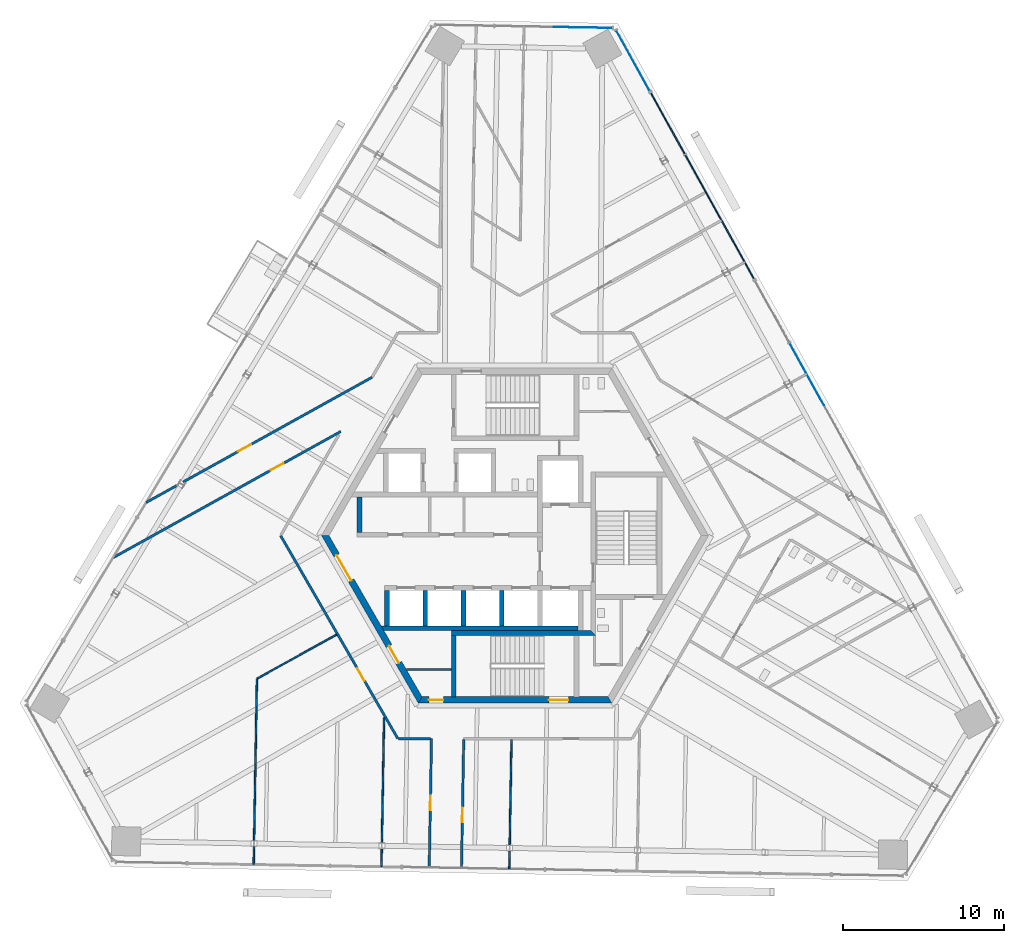
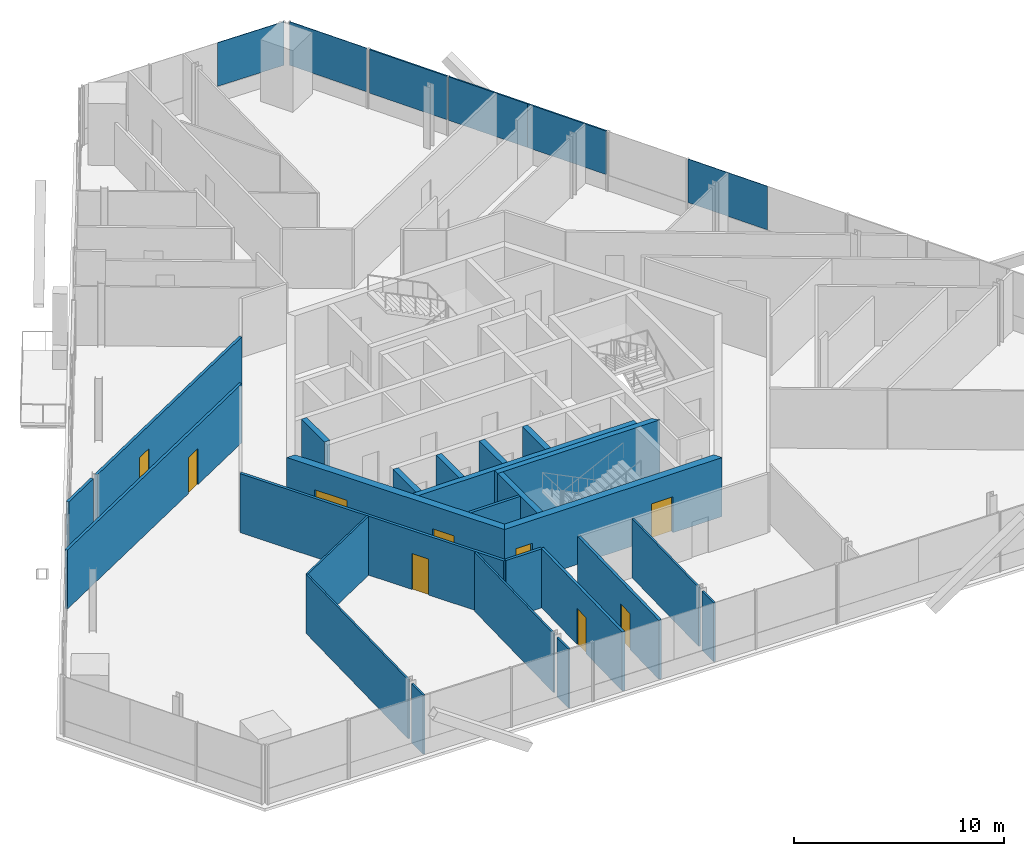
# One storey, part 11 of 19: 25 walls, 9 doors, 6 plates, 9 openings, 4 elements without a shape of their own.
"""IFC4 building model written with IfcOpenShell, lengths in metres."""

import ifcopenshell
import ifcopenshell.guid

model = None  # the IFC model being written
_history = None  # IfcOwnerHistory: only IFC2X3 demands one
_inside = {}  # id of a spatial element -> (the spatial element, [elements in it])
_under = {}  # id of a project, library or spatial element -> (it, [spatial elements below it])
_declared = {}  # id of a project -> (the project, [libraries it declares])
_typed = {}  # id of a type object -> (the type object, [elements of that type])
_made_of = {}  # id of a material, layer set ... -> (it, [elements and type objects made of it])


def new_model(schema):
    """Start an empty IFC model of exactly this schema.

    Asked for "IFC4X3", IfcOpenShell would pick the latest addendum, in which some entities
    have other attributes; the version numbers below select the first issue.
    IFC2X3 requires an IfcOwnerHistory on every rooted entity: one is made here for all.
    """
    global model, _history
    if schema == "IFC4X3":
        model = ifcopenshell.file(schema_version=(4, 3, 0, 0))
    else:
        model = ifcopenshell.file(schema=schema)
    _inside.clear()
    _under.clear()
    _declared.clear()
    _typed.clear()
    _made_of.clear()
    _history = None
    if model.schema == "IFC2X3":
        org = make("IfcOrganization", Name="unknown")
        user = make(
            "IfcPersonAndOrganization",
            ThePerson=make("IfcPerson", FamilyName="unknown"),
            TheOrganization=org,
        )
        app = make(
            "IfcApplication",
            ApplicationDeveloper=org,
            Version="unknown",
            ApplicationFullName="unknown",
            ApplicationIdentifier="unknown",
        )
        _history = make(
            "IfcOwnerHistory",
            OwningUser=user,
            OwningApplication=app,
            ChangeAction="ADDED",
            CreationDate=0,
        )
    return model


def make(cls, **values):
    """One entity of the class cls with the attributes given. An attribute that is None is left unset."""
    return model.create_entity(
        cls, **{name: value for name, value in values.items() if value is not None}
    )


def rooted(cls, **values):
    """An entity with a GlobalId (a new one), such as an element, a storey or a relation."""
    return make(cls, GlobalId=ifcopenshell.guid.new(), OwnerHistory=_history, **values)


def si_unit(unit_type, name, prefix=None):
    """IfcSIUnit, for example si_unit("LENGTHUNIT", "METRE", prefix="MILLI")."""
    return make("IfcSIUnit", UnitType=unit_type, Prefix=prefix, Name=name)


def assignment(units):
    """IfcUnitAssignment: the units of a project."""
    return None if units is None else make("IfcUnitAssignment", Units=units)


def point(xyz):
    """IfcCartesianPoint."""
    return None if xyz is None else make("IfcCartesianPoint", Coordinates=xyz)


def direction(xyz):
    """IfcDirection."""
    return None if xyz is None else make("IfcDirection", DirectionRatios=xyz)


def frame(location, z_axis=None, x_axis=None):
    """IfcAxis2Placement3D, a coordinate frame: its origin and axes. An axis left out is left unset."""
    return make(
        "IfcAxis2Placement3D",
        Location=point(location),
        Axis=direction(z_axis),
        RefDirection=direction(x_axis),
    )


def frame_2d(location, x_axis=None):
    """IfcAxis2Placement2D, a coordinate frame in the plane: its origin and x axis."""
    return make(
        "IfcAxis2Placement2D", Location=point(location), RefDirection=direction(x_axis)
    )


def origin():
    """The frame at (0, 0, 0) with its axes left unset."""
    return frame((0.0, 0.0, 0.0))


def origin_2d():
    """The frame at (0, 0) in the plane with its x axis left unset."""
    return frame_2d((0.0, 0.0))


def place(relative_to, where):
    """IfcLocalPlacement: puts the frame where relative to a parent placement (None: the world)."""
    return make(
        "IfcLocalPlacement", PlacementRelTo=relative_to, RelativePlacement=where
    )


def context(
    kind, dimensions, precision=None, world=None, true_north=None, identifier=None
):
    """IfcGeometricRepresentationContext, for example the 3D "Model" context."""
    return make(
        "IfcGeometricRepresentationContext",
        ContextIdentifier=identifier,
        ContextType=kind,
        CoordinateSpaceDimension=dimensions,
        Precision=precision,
        WorldCoordinateSystem=world,
        TrueNorth=true_north,
    )


def subcontext(parent, identifier, kind, view, scale=None):
    """IfcGeometricRepresentationSubContext, for example "Body" below "Model"."""
    return make(
        "IfcGeometricRepresentationSubContext",
        ContextIdentifier=identifier,
        ContextType=kind,
        ParentContext=parent,
        TargetScale=scale,
        TargetView=view,
    )


def project(units=None, contexts=None):
    """IfcProject with its units and contexts."""
    return rooted(
        "IfcProject",
        Name="project",
        RepresentationContexts=contexts,
        UnitsInContext=assignment(units),
    )


def spatial(cls, under=None, at=None, **own):
    """A site, building, storey or space (cls), placed at a placement, below another one or the project."""
    s = rooted(cls, ObjectPlacement=at, **own)
    if under is not None:
        _under.setdefault(under.id(), (under, []))[1].append(s)
    return s


def polyline(points):
    """IfcPolyline through the points."""
    return make("IfcPolyline", Points=[point(p) for p in points])


def profile(cls, at=None, kind="AREA", **sizes):
    """A parametric profile (cls). Its sizes go by their IFC names, for example OverallWidth=200.0."""
    return make(cls, ProfileType=kind, Position=at, **sizes)


def rectangle(**sizes):
    """IfcRectangleProfileDef."""
    return profile("IfcRectangleProfileDef", **sizes)


def outline(outer, holes=None, kind="AREA"):
    """IfcArbitraryClosedProfileDef: a profile drawn as a closed curve; with holes, ...WithVoids."""
    if holes is None:
        return make("IfcArbitraryClosedProfileDef", ProfileType=kind, OuterCurve=outer)
    return make(
        "IfcArbitraryProfileDefWithVoids",
        ProfileType=kind,
        OuterCurve=outer,
        InnerCurves=holes,
    )


def extrude(swept, where, along, depth):
    """IfcExtrudedAreaSolid: the profile swept, set in the frame where, extruded along a direction by depth."""
    return make(
        "IfcExtrudedAreaSolid",
        SweptArea=swept,
        Position=where,
        ExtrudedDirection=direction(along),
        Depth=depth,
    )


def shape(context_of_items, identifier, shape_type, items):
    """IfcShapeRepresentation: the items that make up one representation, for example the "Body"."""
    return make(
        "IfcShapeRepresentation",
        ContextOfItems=context_of_items,
        RepresentationIdentifier=identifier,
        RepresentationType=shape_type,
        Items=items,
    )


def source(mapping_origin, context_of_items, identifier, shape_type, items):
    """IfcRepresentationMap: a shape defined once, which mapped items show again and again."""
    return make(
        "IfcRepresentationMap",
        MappingOrigin=mapping_origin,
        MappedRepresentation=shape(context_of_items, identifier, shape_type, items),
    )


def transform(
    local_origin,
    x_axis=None,
    y_axis=None,
    z_axis=None,
    scale=None,
    scale2=None,
    scale3=None,
    uniform=True,
):
    """IfcCartesianTransformationOperator3D, or its non-uniform kind. x_axis, y_axis, z_axis: its Axis1, 2, 3."""
    if uniform:
        return make(
            "IfcCartesianTransformationOperator3D",
            Axis1=direction(x_axis),
            Axis2=direction(y_axis),
            LocalOrigin=point(local_origin),
            Scale=scale,
            Axis3=direction(z_axis),
        )
    return make(
        "IfcCartesianTransformationOperator3DnonUniform",
        Axis1=direction(x_axis),
        Axis2=direction(y_axis),
        LocalOrigin=point(local_origin),
        Scale=scale,
        Axis3=direction(z_axis),
        Scale2=scale2,
        Scale3=scale3,
    )


def mapped(mapping_source, mapping_target):
    """IfcMappedItem: shows the shape of a source again, moved by a transform."""
    return make(
        "IfcMappedItem", MappingSource=mapping_source, MappingTarget=mapping_target
    )


def material(Name=None, Category=None):
    """IfcMaterial."""
    return make("IfcMaterial", Name=Name, Category=Category)


def layer(
    of_material, thickness, ventilated=None, Name=None, Category=None, Priority=None
):
    """IfcMaterialLayer: one layer of a wall or slab, of a material (None: an air gap)."""
    return make(
        "IfcMaterialLayer",
        Material=of_material,
        LayerThickness=thickness,
        IsVentilated=ventilated,
        Name=Name,
        Category=Category,
        Priority=Priority,
    )


def layer_set(layers, Name=None):
    """IfcMaterialLayerSet."""
    return make("IfcMaterialLayerSet", MaterialLayers=layers, LayerSetName=Name)


def made_of(thing, what):
    """Note that an element or type object is made of a material, layer set ...; save() writes the relation."""
    if what is not None:
        _made_of.setdefault(what.id(), (what, []))[1].append(thing)
    return thing


def type_object(cls, material=None, **own):
    """A type object (cls), such as IfcWallType, which elements share."""
    return made_of(rooted(cls, **own), material)


def element(
    cls,
    number,
    at=None,
    inside=None,
    cuts=None,
    type_object=None,
    material=None,
    context=None,
    identifier="Body",
    shape_type=None,
    held_by="IfcProductDefinitionShape",
    body=None,
    shapes=None,
    **own,
):
    """One element of the class cls, such as IfcWall. Its Tag is "e" and its number.

    at: its placement. inside: the storey or other place that contains it. cuts: it is an
    opening in that element (IfcRelVoidsElement). A single representation is given by context,
    identifier, shape_type and body (its items); several are given by shapes. held_by: the class
    of the entity that holds the representations. save() writes the other relations.
    """
    e = rooted(cls, Tag="e%d" % number, ObjectPlacement=at, **own)
    if body is not None:
        shapes = [shape(context, identifier, shape_type, body)]
    if shapes is not None:
        e.Representation = make(held_by, Representations=shapes)
    if inside is not None:
        _inside.setdefault(inside.id(), (inside, []))[1].append(e)
    if cuts is not None:
        rooted(
            "IfcRelVoidsElement", RelatingBuildingElement=cuts, RelatedOpeningElement=e
        )
    if type_object is not None:
        _typed.setdefault(type_object.id(), (type_object, []))[1].append(e)
    return made_of(e, material)


def fill(opening, filler):
    """IfcRelFillsElement: the door or window that sits in an opening."""
    return rooted(
        "IfcRelFillsElement",
        RelatingOpeningElement=opening,
        RelatedBuildingElement=filler,
    )


def aggregate(whole, parts):
    """IfcRelAggregates: a whole, such as a stair, and the parts it consists of."""
    return rooted("IfcRelAggregates", RelatingObject=whole, RelatedObjects=parts)


def save(model, path):
    """Write the relations noted so far, then the file.

    IfcRelAggregates (storeys below a building ...), IfcRelContainedInSpatialStructure (elements
    in a storey), IfcRelDefinesByType, IfcRelAssociatesMaterial and IfcRelDeclares: one each for
    every whole, place, type object, material and project.
    """
    for whole, parts in _under.values():
        aggregate(whole, parts)
    for where, things in _inside.values():
        rooted(
            "IfcRelContainedInSpatialStructure",
            RelatedElements=things,
            RelatingStructure=where,
        )
    for kind, things in _typed.values():
        rooted("IfcRelDefinesByType", RelatedObjects=things, RelatingType=kind)
    for what, things in _made_of.values():
        rooted("IfcRelAssociatesMaterial", RelatedObjects=things, RelatingMaterial=what)
    for by, libraries in _declared.values():
        rooted("IfcRelDeclares", RelatingContext=by, RelatedDefinitions=libraries)
    model.write(path)


model = new_model("IFC4")

# Units and contexts
model_context = context("Model", 3, precision=1e-05, world=origin(), true_north=direction((0.0, 1.0)))
body_context = subcontext(model_context, "Body", "Model", "MODEL_VIEW")
ifc_project = project(units=[si_unit("LENGTHUNIT", "METRE"), si_unit("AREAUNIT", "SQUARE_METRE"), si_unit("VOLUMEUNIT", "CUBIC_METRE"), si_unit("PLANEANGLEUNIT", "RADIAN"), si_unit("MASSUNIT", "GRAM", prefix="KILO")], contexts=[model_context])

# Site, building, storey
site_placement = place(None, origin())
site = spatial("IfcSite", under=ifc_project, at=site_placement, CompositionType="ELEMENT")
building_placement = place(site_placement, origin())
building = spatial("IfcBuilding", under=site, at=building_placement, Name="Triune Harvest Tower", CompositionType="ELEMENT")
storey_placement = place(building_placement, frame((0.0, 0.0, 205.10009765625)))
storey = spatial("IfcBuildingStorey", under=building, at=storey_placement, Name="L53", CompositionType="ELEMENT", Elevation=205.10009765625)

# Curtain wall, plate
ifc_material_1 = material(Name="Aluminium bronze anodised", Category="aluminium")
curtain_wall_type_1 = type_object("IfcCurtainWallType", Name="CW-1 Tower stick curtain wall", PredefinedType="NOTDEFINED", material=ifc_material_1)
curtain_wall_1_placement = place(storey_placement, origin())
curtain_wall_1 = element("IfcCurtainWall", 1, at=curtain_wall_1_placement, inside=storey, type_object=curtain_wall_type_1, Name="CW-1 B5-F2 L53 run 1")
ifc_material_2 = material(Name="Glass", Category="glass")
ifc_layer_1 = layer(ifc_material_2, 0.031982421875)
ifc_layer_set_1 = layer_set([ifc_layer_1], Name="Glass")
plate_type_1 = type_object("IfcPlateType", Name="GL-1 panel 32", PredefinedType="CURTAIN_PANEL", material=ifc_layer_set_1)
shared_shape_1 = source(origin(), body_context, "Body", "SweptSolid", [
    extrude(rectangle(XDim=3.625, YDim=0.031982421875, at=origin_2d()), origin(), (0.0, 0.0, 1.0), 2.5400390625),
])
plate_1_placement = place(storey_placement, frame((4.213134765625, 31.516357421875, 0.89990234375), z_axis=(0.0, 0.0, 1.0), x_axis=(-0.999847801404, 0.017446318452, 0.0)))
plate_1 = element("IfcPlate", 2, at=plate_1_placement, type_object=plate_type_1, Name="CW-1 panel B5-F2 1.1", PredefinedType="CURTAIN_PANEL", context=body_context, shape_type="MappedRepresentation", body=[
    mapped(shared_shape_1, transform((0.0, 0.0, 0.0), scale=1.0)),
])
aggregate(curtain_wall_1, [plate_1])

ifc_material_3 = material(Name="Aluminium bronze anodised", Category="aluminium")
curtain_wall_type_2 = type_object("IfcCurtainWallType", Name="CW-7 Tower stick curtain wall with insulated spandrel infill", PredefinedType="NOTDEFINED", material=ifc_material_3)
curtain_wall_2_placement = place(storey_placement, origin())
curtain_wall_2 = element("IfcCurtainWall", 3, at=curtain_wall_2_placement, inside=storey, type_object=curtain_wall_type_2, Name="CW-7 B5-F1 L53 run 3001")
ifc_material_4 = material(Name="Insulated spandrel panel, bronze aluminium pan", Category="aluminium")
ifc_layer_2 = layer(ifc_material_4, 0.080078125)
ifc_layer_set_2 = layer_set([ifc_layer_2], Name="Insulated spandrel panel, bronze aluminium pan")
plate_type_2 = type_object("IfcPlateType", Name="SP-1 insulated spandrel panel 80", PredefinedType="CURTAIN_PANEL", material=ifc_layer_set_2)
shared_shape_2 = source(origin(), body_context, "Body", "SweptSolid", [
    extrude(rectangle(XDim=4.40673828125, YDim=0.080078125, at=origin_2d()), origin(), (0.0, 0.0, 1.0), 2.5400390625),
])
plate_2_placement = place(storey_placement, frame((11.6298828125, 21.669189453125, 0.89990234375), z_axis=(0.0, 0.0, 1.0), x_axis=(-0.484806563337, 0.874621401605, 0.0)))
plate_2 = element("IfcPlate", 4, at=plate_2_placement, type_object=plate_type_2, Name="CW-7 panel B5-F1 3001.2", PredefinedType="CURTAIN_PANEL", context=body_context, shape_type="MappedRepresentation", body=[
    mapped(shared_shape_2, transform((0.0, 0.0, 0.0), scale=1.0)),
])

curtain_wall_3_placement = place(storey_placement, origin())
curtain_wall_3 = element("IfcCurtainWall", 5, at=curtain_wall_3_placement, inside=storey, type_object=curtain_wall_type_1, Name="CW-1 B5-F1 L53 run 2001")
shared_shape_3 = source(origin(), body_context, "Body", "SweptSolid", [
    extrude(rectangle(XDim=4.40673828125, YDim=0.031982421875, at=origin_2d()), origin(), (0.0, 0.0, 1.0), 2.5400390625),
])
plate_3_placement = place(storey_placement, frame((18.09375, 10.008056640625, 0.89990234375), z_axis=(0.0, 0.0, 1.0), x_axis=(-0.48480912047, 0.87461998417, 0.0)))
plate_3 = element("IfcPlate", 6, at=plate_3_placement, type_object=plate_type_1, Name="CW-1 panel B5-F1 2001.2", PredefinedType="CURTAIN_PANEL", context=body_context, shape_type="MappedRepresentation", body=[
    mapped(shared_shape_3, transform((0.0, 0.0, 0.0), scale=1.0)),
])
aggregate(curtain_wall_3, [plate_3])

# Plate
shared_shape_4 = source(origin(), body_context, "Body", "SweptSolid", [
    extrude(rectangle(XDim=4.369140625, YDim=0.080078125, at=origin_2d()), origin(), (0.0, 0.0, 1.0), 2.5400390625),
])
plate_4_placement = place(storey_placement, frame((13.757080078125, 17.831298828125, 0.89990234375), z_axis=(0.0, 0.0, 1.0), x_axis=(-0.484806563337, 0.874621401605, 0.0)))
plate_4 = element("IfcPlate", 7, at=plate_4_placement, type_object=plate_type_2, Name="CW-7 panel B5-F1 3001.1", PredefinedType="CURTAIN_PANEL", context=body_context, shape_type="MappedRepresentation", body=[
    mapped(shared_shape_4, transform((0.0, 0.0, 0.0), scale=1.0)),
])

shared_shape_5 = source(origin(), body_context, "Body", "SweptSolid", [
    extrude(rectangle(XDim=4.331787109375, YDim=0.080078125, at=origin_2d()), origin(), (0.0, 0.0, 1.0), 2.5400390625),
])
plate_5_placement = place(storey_placement, frame((9.47509765625, 25.55615234375, 0.89990234375), z_axis=(0.0, 0.0, 1.0), x_axis=(-0.484806563337, 0.874621401605, 0.0)))
plate_5 = element("IfcPlate", 8, at=plate_5_placement, type_object=plate_type_2, Name="CW-7 panel B5-F1 3001.3", PredefinedType="CURTAIN_PANEL", context=body_context, shape_type="MappedRepresentation", body=[
    mapped(shared_shape_5, transform((0.0, 0.0, 0.0), scale=1.0)),
])

aggregate(curtain_wall_2, [plate_4, plate_2, plate_5])

# Curtain wall, plate
curtain_wall_4_placement = place(storey_placement, origin())
curtain_wall_4 = element("IfcCurtainWall", 9, at=curtain_wall_4_placement, inside=storey, type_object=curtain_wall_type_1, Name="CW-1 B5-F1 L53 run 4001")
shared_shape_6 = source(origin(), body_context, "Body", "SweptSolid", [
    extrude(rectangle(XDim=4.29443359375, YDim=0.031982421875, at=origin_2d()), origin(), (0.0, 0.0, 1.0), 2.5400390625),
])
plate_6_placement = place(storey_placement, frame((7.3115234375, 29.459716796875, 0.89990234375), z_axis=(0.0, 0.0, 1.0), x_axis=(-0.484813285993, 0.874617675173, 0.0)))
plate_6 = element("IfcPlate", 10, at=plate_6_placement, type_object=plate_type_1, Name="CW-1 panel B5-F1 4001.1", PredefinedType="CURTAIN_PANEL", context=body_context, shape_type="MappedRepresentation", body=[
    mapped(shared_shape_6, transform((0.0, 0.0, 0.0), scale=1.0)),
])
aggregate(curtain_wall_4, [plate_6])

# Wall, openings, doors
ifc_material_5 = material(Name="Concrete 70 MPa", Category="concrete")
ifc_layer_3 = layer(ifc_material_5, 0.39990234375)
ifc_layer_set_3 = layer_set([ifc_layer_3], Name="Concrete 70 MPa")
wall_type_1 = type_object("IfcWallType", Name="Core wall 400", PredefinedType="SHEAR", material=ifc_layer_set_3)
shared_shape_7 = source(origin(), body_context, "Body", "SweptSolid", [
    extrude(outline(polyline([(-0.115478515625, -0.199951171875), (11.884521484375, -0.199951171875), (11.653564453125, 0.199951171875), (0.115478515625, 0.199951171875), (-0.115478515625, -0.199951171875)])), origin(), (0.0, 0.0, 1.0), 3.43994140625),
])
wall_1_placement = place(storey_placement, frame((-11.76904296875, 0.0, 0.0), z_axis=(0.0, 0.0, 1.0), x_axis=(0.499996592174, -0.866027371285, 0.0)))
wall_1 = element("IfcWall", 11, at=wall_1_placement, inside=storey, type_object=wall_type_1, Name="Hexagon 3 wall", PredefinedType="SHEAR", context=body_context, shape_type="MappedRepresentation", body=[
    mapped(shared_shape_7, transform((0.0, 0.0, 0.0), scale=1.0)),
])
opening_1_placement = place(wall_1_placement, frame((1.404541015625, 0.0, 0.0)))
opening_1 = element("IfcOpeningElement", 12, at=opening_1_placement, cuts=wall_1, Name="Opening CD-LS", PredefinedType="OPENING", context=body_context, shape_type="SweptSolid", body=[
    extrude(rectangle(XDim=1.800048828125, YDim=2.10009765625, at=frame_2d((0.89990234375, 1.050048828125))), frame((0.0, 0.2099609375, 0.0), z_axis=(0.0, -1.0, 0.0), x_axis=(1.0, 0.0, 0.0)), (0.0, 0.0, 1.0), 0.419921875),
])
opening_2_placement = place(wall_1_placement, frame((7.91455078125, 0.0, 0.0)))
opening_2 = element("IfcOpeningElement", 13, at=opening_2_placement, cuts=wall_1, Name="Opening CD-SWP", PredefinedType="OPENING", context=body_context, shape_type="SweptSolid", body=[
    extrude(rectangle(XDim=1.199951171875, YDim=2.10009765625, at=frame_2d((0.60009765625, 1.050048828125))), frame((0.0, 0.2099609375, 0.0), z_axis=(0.0, -1.0, 0.0), x_axis=(1.0, 0.0, 0.0)), (0.0, 0.0, 1.0), 0.419921875),
])
ifc_material_6 = material(Name="Steel S235", Category="steel")
door_type_1 = type_object("IfcDoorType", Name="Lobby door 1800 FD120", OperationType="DOUBLE_DOOR_DOUBLE_SWING", PredefinedType="DOOR", material=ifc_material_6)
door_1_placement = place(opening_1_placement, frame((1.800048828125, 0.0, 0.0), z_axis=(0.0, 0.0, 1.0), x_axis=(-1.0, 0.0, 0.0)))
door_1 = element("IfcDoor", 14, at=door_1_placement, inside=storey, type_object=door_type_1, Name="Door CD-LS", OperationType="DOUBLE_DOOR_DOUBLE_SWING", OverallHeight=2.10009765625, OverallWidth=1.800048828125, PredefinedType="DOOR", context=body_context, shape_type="SweptSolid", body=[
    extrude(rectangle(XDim=1.800048828125, YDim=2.10009765625, at=frame_2d((0.89990234375, 1.050048828125))), frame((0.0, 0.02490234375, 0.0), z_axis=(0.0, -1.0, 0.0), x_axis=(1.0, 0.0, 0.0)), (0.0, 0.0, 1.0), 0.050048828125),
])
fill(opening_1, door_1)
ifc_material_7 = material(Name="Steel S235", Category="steel")
door_type_2 = type_object("IfcDoorType", Name="Service door 1200 FD120", OperationType="SINGLE_SWING_LEFT", PredefinedType="DOOR", material=ifc_material_7)
door_2_placement = place(opening_2_placement, frame((1.199951171875, 0.0, 0.0), z_axis=(0.0, 0.0, 1.0), x_axis=(-1.0, 0.0, 0.0)))
door_2 = element("IfcDoor", 15, at=door_2_placement, inside=storey, type_object=door_type_2, Name="Door CD-SWP", OperationType="SINGLE_SWING_RIGHT", OverallHeight=2.10009765625, OverallWidth=1.199951171875, PredefinedType="DOOR", context=body_context, shape_type="SweptSolid", body=[
    extrude(rectangle(XDim=1.199951171875, YDim=2.10009765625, at=frame_2d((0.60009765625, 1.050048828125))), frame((0.0, 0.02490234375, 0.0), z_axis=(0.0, -1.0, 0.0), x_axis=(1.0, 0.0, 0.0)), (0.0, 0.0, 1.0), 0.050048828125),
])
fill(opening_2, door_2)

wall_2_placement = place(storey_placement, frame((-5.884521484375, -10.1923828125, 0.0), z_axis=(0.0, 0.0, 1.0), x_axis=(1.0, 0.0, 0.0)))
wall_2 = element("IfcWall", 16, at=wall_2_placement, inside=storey, type_object=wall_type_1, Name="Hexagon 4 wall", PredefinedType="SHEAR", context=body_context, shape_type="MappedRepresentation", body=[
    mapped(shared_shape_7, transform((0.0, 0.0, 0.0), scale=1.0)),
])
opening_3_placement = place(wall_2_placement, frame((7.984619140625, 0.0, 0.0)))
opening_3 = element("IfcOpeningElement", 17, at=opening_3_placement, cuts=wall_2, Name="Opening CD-S2P", PredefinedType="OPENING", context=body_context, shape_type="SweptSolid", body=[
    extrude(rectangle(XDim=1.199951171875, YDim=2.10009765625, at=frame_2d((0.60009765625, 1.050048828125))), frame((0.0, 0.2099609375, 0.0), z_axis=(0.0, -1.0, 0.0), x_axis=(1.0, 0.0, 0.0)), (0.0, 0.0, 1.0), 0.419921875),
])
opening_4_placement = place(wall_2_placement, frame((0.534423828125, 0.0, 0.0)))
opening_4 = element("IfcOpeningElement", 18, at=opening_4_placement, cuts=wall_2, Name="Opening CD-SWS", PredefinedType="OPENING", context=body_context, shape_type="SweptSolid", body=[
    extrude(rectangle(XDim=0.89990234375, YDim=2.10009765625, at=frame_2d((0.449951171875, 1.050048828125))), frame((0.0, 0.2099609375, 0.0), z_axis=(0.0, -1.0, 0.0), x_axis=(1.0, 0.0, 0.0)), (0.0, 0.0, 1.0), 0.419921875),
])
ifc_material_8 = material(Name="Steel S235", Category="steel")
door_type_3 = type_object("IfcDoorType", Name="Riser door 900 FD120", OperationType="SINGLE_SWING_LEFT", PredefinedType="DOOR", material=ifc_material_8)
door_3_placement = place(opening_4_placement, frame((0.89990234375, 0.0, 0.0), z_axis=(0.0, 0.0, 1.0), x_axis=(-1.0, 0.0, 0.0)))
door_3 = element("IfcDoor", 19, at=door_3_placement, inside=storey, type_object=door_type_3, Name="Door CD-SWS", OperationType="SINGLE_SWING_RIGHT", OverallHeight=2.10009765625, OverallWidth=0.89990234375, PredefinedType="DOOR", context=body_context, shape_type="SweptSolid", body=[
    extrude(rectangle(XDim=0.89990234375, YDim=2.10009765625, at=frame_2d((0.449951171875, 1.050048828125))), frame((0.0, 0.02490234375, 0.0), z_axis=(0.0, -1.0, 0.0), x_axis=(1.0, 0.0, 0.0)), (0.0, 0.0, 1.0), 0.050048828125),
])
fill(opening_4, door_3)
ifc_material_9 = material(Name="Steel S235", Category="steel")
door_type_4 = type_object("IfcDoorType", Name="Stair door 1200 FD120", OperationType="SINGLE_SWING_LEFT", PredefinedType="DOOR", material=ifc_material_9)
door_4_placement = place(opening_3_placement, frame((1.199951171875, 0.0, 0.0), z_axis=(0.0, 0.0, 1.0), x_axis=(-1.0, 0.0, 0.0)))
door_4 = element("IfcDoor", 20, at=door_4_placement, inside=storey, type_object=door_type_4, Name="Door CD-S2P", OperationType="SINGLE_SWING_RIGHT", OverallHeight=2.10009765625, OverallWidth=1.199951171875, PredefinedType="DOOR", context=body_context, shape_type="SweptSolid", body=[
    extrude(rectangle(XDim=1.199951171875, YDim=2.10009765625, at=frame_2d((0.60009765625, 1.050048828125))), frame((0.0, 0.02490234375, 0.0), z_axis=(0.0, -1.0, 0.0), x_axis=(1.0, 0.0, 0.0)), (0.0, 0.0, 1.0), 0.050048828125),
])
fill(opening_3, door_4)

# Walls
ifc_material_10 = material(Name="Concrete 70 MPa", Category="concrete")
ifc_layer_4 = layer(ifc_material_10, 0.300048828125)
ifc_layer_set_4 = layer_set([ifc_layer_4], Name="Concrete 70 MPa")
wall_type_2 = type_object("IfcWallType", Name="Core wall 300", PredefinedType="SHEAR", material=ifc_layer_set_4)
shared_shape_8 = source(origin(), body_context, "Body", "SweptSolid", [
    extrude(outline(polyline([(12.0, -0.14990234375), (-0.039794921875, -0.14990234375), (-0.212890625, 0.14990234375), (12.0, 0.14990234375), (12.0, -0.14990234375)])), origin(), (0.0, 0.0, 1.0), 3.43994140625),
])
wall_3_placement = place(storey_placement, frame((-8.10009765625, -5.739990234375, 0.0), z_axis=(0.0, 0.0, 1.0), x_axis=(1.0, 0.0, 0.0)))
element("IfcWall", 21, at=wall_3_placement, inside=storey, type_object=wall_type_2, Name="South back wall", PredefinedType="SHEAR", context=body_context, shape_type="MappedRepresentation", body=[
    mapped(shared_shape_8, transform((0.0, 0.0, 0.0), scale=1.0)),
])
shared_shape_9 = source(origin(), body_context, "Body", "SweptSolid", [
    extrude(rectangle(XDim=2.2001953125, YDim=0.300048828125, at=frame_2d((1.10009765625, 0.0))), origin(), (0.0, 0.0, 1.0), 3.43994140625),
])
for number, where, z_axis, x_axis, name in (
    (22, (-7.949951171875, -5.590087890625, 0.0), (0.0, 0.0, 1.0), (0.0, 1.0, 0.0), "South end west wall"),
    (23, (-5.574951171875, -5.590087890625, 0.0), (0.0, 0.0, 1.0), (0.0, 1.0, 0.0), "South cross 1 wall"),
    (24, (-3.199951171875, -5.590087890625, 0.0), (0.0, 0.0, 1.0), (0.0, 1.0, 0.0), "South cross 2 wall"),
    (25, (-0.824951171875, -5.590087890625, 0.0), (0.0, 0.0, 1.0), (0.0, 1.0, 0.0), "South cross 3 wall"),
):
    element("IfcWall", number, at=place(storey_placement, frame(where, z_axis=z_axis, x_axis=x_axis)), inside=storey, type_object=wall_type_2, Name=name, PredefinedType="SHEAR", context=body_context, shape_type="MappedRepresentation", body=[
        mapped(shared_shape_9, transform((0.0, 0.0, 0.0), scale=1.0)),
    ])
shared_shape_10 = source(origin(), body_context, "Body", "SweptSolid", [
    extrude(rectangle(XDim=2.199951171875, YDim=0.300048828125, at=frame_2d((1.10009765625, 0.0))), origin(), (0.0, 0.0, 1.0), 3.43994140625),
])
wall_4_placement = place(storey_placement, frame((-9.64990234375, 0.2099609375, 0.0), z_axis=(0.0, 0.0, 1.0), x_axis=(0.0, 1.0, 0.0)))
element("IfcWall", 26, at=wall_4_placement, inside=storey, type_object=wall_type_2, Name="North end west wall", PredefinedType="SHEAR", context=body_context, shape_type="MappedRepresentation", body=[
    mapped(shared_shape_10, transform((0.0, 0.0, 0.0), scale=1.0)),
])
shared_shape_11 = source(origin(), body_context, "Body", "SweptSolid", [
    extrude(outline(polyline([(0.0, -0.14990234375), (8.949951171875, -0.14990234375), (8.64990234375, 0.14990234375), (0.0, 0.14990234375), (0.0, -0.14990234375)])), origin(), (0.0, 0.0, 1.0), 3.43994140625),
])
wall_5_placement = place(storey_placement, frame((-3.949951171875, -6.0400390625, 0.0), z_axis=(0.0, 0.0, 1.0), x_axis=(1.0, 0.0, 0.0)))
element("IfcWall", 27, at=wall_5_placement, inside=storey, type_object=wall_type_2, Name="Stair s north wall", PredefinedType="SHEAR", context=body_context, shape_type="MappedRepresentation", body=[
    mapped(shared_shape_11, transform((0.0, 0.0, 0.0), scale=1.0)),
])
shared_shape_12 = source(origin(), body_context, "Body", "SweptSolid", [
    extrude(outline(polyline([(3.800048828125, -0.14990234375), (-0.00439453125, -0.14990234375), (-0.00439453125, 0.14990234375), (3.800048828125, 0.14990234375), (3.800048828125, -0.14990234375)])), origin(), (0.0, 0.0, 1.0), 3.43994140625),
])
wall_6_placement = place(storey_placement, frame((-3.800048828125, -9.989990234375, 0.0), z_axis=(0.0, 0.0, 1.0), x_axis=(0.0, 1.0, 0.0)))
element("IfcWall", 28, at=wall_6_placement, inside=storey, type_object=wall_type_2, Name="Stair s west wall", PredefinedType="SHEAR", context=body_context, shape_type="MappedRepresentation", body=[
    mapped(shared_shape_12, transform((0.0, 0.0, 0.0), scale=1.0)),
])
ifc_material_11 = material(Name="Concrete masonry unit", Category="masonry")
ifc_layer_5 = layer(ifc_material_11, 0.14990234375)
ifc_layer_set_5 = layer_set([ifc_layer_5], Name="Concrete masonry unit")
wall_type_3 = type_object("IfcWallType", Name="Block partition 150", PredefinedType="PARTITIONING", material=ifc_layer_set_5)
shared_shape_13 = source(origin(), body_context, "Body", "SweptSolid", [
    extrude(rectangle(XDim=2.777099609375, YDim=0.14990234375, at=frame_2d((1.388671875, 0.0))), origin(), (0.0, 0.0, 1.0), 3.43994140625),
])
wall_7_placement = place(storey_placement, frame((-6.72705078125, -8.300048828125, 0.0), z_axis=(0.0, 0.0, 1.0), x_axis=(1.0, 0.0, 0.0)))
element("IfcWall", 29, at=wall_7_placement, inside=storey, type_object=wall_type_3, Name="Sw part wall", PredefinedType="PARTITIONING", context=body_context, shape_type="MappedRepresentation", body=[
    mapped(shared_shape_13, transform((0.0, 0.0, 0.0), scale=1.0)),
])
ifc_material_12 = material(Name="Gypsum board on steel studs", Category="steel")
ifc_layer_6 = layer(ifc_material_12, 0.10009765625)
ifc_layer_set_6 = layer_set([ifc_layer_6], Name="Gypsum board on steel studs")
wall_type_4 = type_object("IfcWallType", Name="Partition 100 mm", PredefinedType="PARTITIONING", material=ifc_layer_set_6)
shared_shape_14 = source(origin(), body_context, "Body", "SweptSolid", [
    extrude(rectangle(XDim=1.13037109375, YDim=0.10009765625, at=frame_2d((0.565185546875, 0.0))), origin(), (0.0, 0.0, 1.0), 3.43994140625),
])
wall_8_placement = place(storey_placement, frame((-0.360595703125, -20.673828125, 0.0), z_axis=(0.0, 0.0, 1.0), x_axis=(0.017279770035, 0.999850693628, 0.0)))
element("IfcWall", 30, at=wall_8_placement, inside=storey, type_object=wall_type_4, Name="Partition L53 046", PredefinedType="PARTITIONING", context=body_context, shape_type="MappedRepresentation", body=[
    mapped(shared_shape_14, transform((0.0, 0.0, 0.0), scale=1.0)),
])
shared_shape_15 = source(origin(), body_context, "Body", "SweptSolid", [
    extrude(rectangle(XDim=1.130615234375, YDim=0.10009765625, at=frame_2d((0.5654296875, 0.0))), origin(), (0.0, 0.0, 1.0), 3.43994140625),
])
for number, where, z_axis, x_axis, name in (
    (31, (-8.286865234375, -20.53564453125, 0.0), (0.0, 0.0, 1.0), (0.017491923839, 0.999847004596, 0.0), "Partition L53 055"),
    (32, (-16.212890625, -20.397216796875, 0.0), (0.0, 0.0, 1.0), (0.017491923839, 0.999847004596, 0.0), "Partition L53 057"),
):
    element("IfcWall", number, at=place(storey_placement, frame(where, z_axis=z_axis, x_axis=x_axis)), inside=storey, type_object=wall_type_4, Name=name, PredefinedType="PARTITIONING", context=body_context, shape_type="MappedRepresentation", body=[
        mapped(shared_shape_15, transform((0.0, 0.0, 0.0), scale=1.0)),
    ])
shared_shape_16 = source(origin(), body_context, "Body", "SweptSolid", [
    extrude(rectangle(XDim=10.049560546875, YDim=0.10009765625, at=frame_2d((5.02490234375, 0.0))), origin(), (0.0, 0.0, 1.0), 3.43994140625),
])
wall_9_placement = place(storey_placement, frame((-16.187255859375, -18.923583984375, 0.0), z_axis=(0.0, 0.0, 1.0), x_axis=(0.017467024061, 0.999847439898, 0.0)))
element("IfcWall", 33, at=wall_9_placement, inside=storey, type_object=wall_type_4, Name="Partition L53 058", PredefinedType="PARTITIONING", context=body_context, shape_type="MappedRepresentation", body=[
    mapped(shared_shape_16, transform((0.0, 0.0, 0.0), scale=1.0)),
])

# Wall, opening, door
ifc_material_13 = material(Name="Gypsum board on steel studs", Category="steel")
ifc_layer_7 = layer(ifc_material_13, 0.14990234375)
ifc_layer_set_7 = layer_set([ifc_layer_7], Name="Gypsum board on steel studs")
wall_type_5 = type_object("IfcWallType", Name="Fire Partition 150 mm", PredefinedType="PARTITIONING", material=ifc_layer_set_7)
shared_shape_17 = source(origin(), body_context, "Body", "SweptSolid", [
    extrude(rectangle(XDim=14.540283203125, YDim=0.14990234375, at=frame_2d((7.27001953125, 0.0))), origin(), (0.0, 0.0, 1.0), 3.43994140625),
])
wall_10_placement = place(storey_placement, frame((-14.540283203125, 0.0, 0.0), z_axis=(0.0, 0.0, 1.0), x_axis=(0.499992794462, -0.866029563864, 0.0)))
wall_10 = element("IfcWall", 34, at=wall_10_placement, inside=storey, type_object=wall_type_5, Name="Partition L53 002", PredefinedType="PARTITIONING", context=body_context, shape_type="MappedRepresentation", body=[
    mapped(shared_shape_17, transform((0.0, 0.0, 0.0), scale=1.0)),
])
opening_5_placement = place(wall_10_placement, frame((9.50048828125, 0.0, 0.0)))
opening_5 = element("IfcOpeningElement", 35, at=opening_5_placement, cuts=wall_10, Name="Opening L53-017", PredefinedType="OPENING", context=body_context, shape_type="SweptSolid", body=[
    extrude(rectangle(XDim=0.89990234375, YDim=2.10009765625, at=frame_2d((0.449951171875, 1.050048828125))), frame((0.0, 0.0849609375, 0.0), z_axis=(0.0, -1.0, 0.0), x_axis=(1.0, 0.0, 0.0)), (0.0, 0.0, 1.0), 0.169921875),
])
ifc_material_14 = material(Name="Timber and steel door set", Category="steel")
door_type_5 = type_object("IfcDoorType", Name="Single leaf door FD30 left hand 900 x 2100", OperationType="SINGLE_SWING_LEFT", PredefinedType="DOOR", material=ifc_material_14)
door_5_placement = place(opening_5_placement, origin())
door_5 = element("IfcDoor", 36, at=door_5_placement, inside=storey, type_object=door_type_5, Name="Door L53-017 Project Room 53.17", OperationType="SINGLE_SWING_LEFT", OverallHeight=2.10009765625, OverallWidth=0.89990234375, PredefinedType="DOOR", context=body_context, shape_type="SweptSolid", body=[
    extrude(rectangle(XDim=0.89990234375, YDim=2.10009765625, at=frame_2d((0.449951171875, 1.050048828125))), frame((0.0, 0.02490234375, 0.0), z_axis=(0.0, -1.0, 0.0), x_axis=(1.0, 0.0, 0.0)), (0.0, 0.0, 1.0), 0.050048828125),
])
fill(opening_5, door_5)

# Walls
shared_shape_18 = source(origin(), body_context, "Body", "SweptSolid", [
    extrude(rectangle(XDim=2.260986328125, YDim=0.14990234375, at=frame_2d((1.13037109375, 0.0))), origin(), (0.0, 0.0, 1.0), 3.43994140625),
])
wall_11_placement = place(storey_placement, frame((-22.890625, 2.05029296875, 0.0), z_axis=(0.0, 0.0, 1.0), x_axis=(0.874615280468, 0.484817606087, 0.0)))
element("IfcWall", 37, at=wall_11_placement, inside=storey, type_object=wall_type_5, Name="Partition L53 037", PredefinedType="PARTITIONING", context=body_context, shape_type="MappedRepresentation", body=[
    mapped(shared_shape_18, transform((0.0, 0.0, 0.0), scale=1.0)),
])
shared_shape_19 = source(origin(), body_context, "Body", "SweptSolid", [
    extrude(rectangle(XDim=1.97607421875, YDim=0.14990234375, at=frame_2d((0.988037109375, 0.0))), origin(), (0.0, 0.0, 1.0), 3.43994140625),
])
wall_12_placement = place(storey_placement, frame((-7.22021484375, -12.59228515625, 0.0), z_axis=(0.0, 0.0, 1.0), x_axis=(1.0, 0.0, 0.0)))
element("IfcWall", 38, at=wall_12_placement, inside=storey, type_object=wall_type_5, Name="Partition L53 021", PredefinedType="PARTITIONING", context=body_context, shape_type="MappedRepresentation", body=[
    mapped(shared_shape_19, transform((0.0, 0.0, 0.0), scale=1.0)),
])
shared_shape_20 = source(origin(), body_context, "Body", "SweptSolid", [
    extrude(rectangle(XDim=5.6328125, YDim=0.10009765625, at=frame_2d((2.81640625, 0.0))), origin(), (0.0, 0.0, 1.0), 3.43994140625),
])
wall_13_placement = place(storey_placement, frame((-15.994384765625, -8.86572265625, 0.0), z_axis=(0.0, 0.0, 1.0), x_axis=(0.874637287993, 0.48477790219, 0.0)))
element("IfcWall", 39, at=wall_13_placement, inside=storey, type_object=wall_type_4, Name="Partition L53 030", PredefinedType="PARTITIONING", context=body_context, shape_type="MappedRepresentation", body=[
    mapped(shared_shape_20, transform((0.0, 0.0, 0.0), scale=1.0)),
])

# Wall, opening, door
shared_shape_21 = source(origin(), body_context, "Body", "SweptSolid", [
    extrude(rectangle(XDim=16.166748046875, YDim=0.14990234375, at=frame_2d((8.08349609375, 0.0))), origin(), (0.0, 0.0, 1.0), 3.43994140625),
])
wall_14_placement = place(storey_placement, frame((-24.95068359375, -1.37841796875, 0.0), z_axis=(0.0, 0.0, 1.0), x_axis=(0.87461562831, 0.484816978577, 0.0)))
wall_14 = element("IfcWall", 40, at=wall_14_placement, inside=storey, type_object=wall_type_5, Name="Partition L53 035", PredefinedType="PARTITIONING", context=body_context, shape_type="MappedRepresentation", body=[
    mapped(shared_shape_21, transform((0.0, 0.0, 0.0), scale=1.0)),
])
opening_6_placement = place(wall_14_placement, frame((11.19921875, 0.0, 0.0)))
opening_6 = element("IfcOpeningElement", 41, at=opening_6_placement, cuts=wall_14, Name="Opening L53-015", PredefinedType="OPENING", context=body_context, shape_type="SweptSolid", body=[
    extrude(rectangle(XDim=0.89990234375, YDim=2.10009765625, at=frame_2d((0.449951171875, 1.050048828125))), frame((0.0, 0.0849609375, 0.0), z_axis=(0.0, -1.0, 0.0), x_axis=(1.0, 0.0, 0.0)), (0.0, 0.0, 1.0), 0.169921875),
])
door_6_placement = place(opening_6_placement, origin())
door_6 = element("IfcDoor", 42, at=door_6_placement, inside=storey, type_object=door_type_5, Name="Door L53-015 Open Office 53.15", OperationType="SINGLE_SWING_LEFT", OverallHeight=2.10009765625, OverallWidth=0.89990234375, PredefinedType="DOOR", context=body_context, shape_type="SweptSolid", body=[
    extrude(rectangle(XDim=0.89990234375, YDim=2.10009765625, at=frame_2d((0.449951171875, 1.050048828125))), frame((0.0, 0.02490234375, 0.0), z_axis=(0.0, -1.0, 0.0), x_axis=(1.0, 0.0, 0.0)), (0.0, 0.0, 1.0), 0.050048828125),
])
fill(opening_6, door_6)

shared_shape_22 = source(origin(), body_context, "Body", "SweptSolid", [
    extrude(rectangle(XDim=13.3984375, YDim=0.14990234375, at=frame_2d((6.69921875, 0.0))), origin(), (0.0, 0.0, 1.0), 3.43994140625),
])
wall_15_placement = place(storey_placement, frame((-20.587890625, 3.326904296875, 0.0), z_axis=(0.0, 0.0, 1.0), x_axis=(0.874621871771, 0.484805715126, 0.0)))
wall_15 = element("IfcWall", 43, at=wall_15_placement, inside=storey, type_object=wall_type_5, Name="Partition L53 038", PredefinedType="PARTITIONING", context=body_context, shape_type="MappedRepresentation", body=[
    mapped(shared_shape_22, transform((0.0, 0.0, 0.0), scale=1.0)),
])
opening_7_placement = place(wall_15_placement, frame((3.901123046875, 0.0, 0.0)))
opening_7 = element("IfcOpeningElement", 44, at=opening_7_placement, cuts=wall_15, Name="Opening L53-016", PredefinedType="OPENING", context=body_context, shape_type="SweptSolid", body=[
    extrude(rectangle(XDim=0.89990234375, YDim=2.10009765625, at=frame_2d((0.449951171875, 1.050048828125))), frame((0.0, 0.0849609375, 0.0), z_axis=(0.0, -1.0, 0.0), x_axis=(1.0, 0.0, 0.0)), (0.0, 0.0, 1.0), 0.169921875),
])
door_7_placement = place(opening_7_placement, origin())
door_7 = element("IfcDoor", 45, at=door_7_placement, inside=storey, type_object=door_type_5, Name="Door L53-016 Dry Store Room 53.16", OperationType="SINGLE_SWING_LEFT", OverallHeight=2.10009765625, OverallWidth=0.89990234375, PredefinedType="DOOR", context=body_context, shape_type="SweptSolid", body=[
    extrude(rectangle(XDim=0.89990234375, YDim=2.10009765625, at=frame_2d((0.449951171875, 1.050048828125))), frame((0.0, 0.02490234375, 0.0), z_axis=(0.0, -1.0, 0.0), x_axis=(1.0, 0.0, 0.0)), (0.0, 0.0, 1.0), 0.050048828125),
])
fill(opening_7, door_7)

# Wall
shared_shape_23 = source(origin(), body_context, "Body", "SweptSolid", [
    extrude(rectangle(XDim=6.549072265625, YDim=0.10009765625, at=frame_2d((3.2744140625, 0.0))), origin(), (0.0, 0.0, 1.0), 3.43994140625),
])
wall_16_placement = place(storey_placement, frame((-0.3349609375, -19.200439453125, 0.0), z_axis=(0.0, 0.0, 1.0), x_axis=(0.017446358105, 0.999847800712, 0.0)))
element("IfcWall", 46, at=wall_16_placement, inside=storey, type_object=wall_type_4, Name="Partition L53 047", PredefinedType="PARTITIONING", context=body_context, shape_type="MappedRepresentation", body=[
    mapped(shared_shape_23, transform((0.0, 0.0, 0.0), scale=1.0)),
])

# Wall, opening, door
shared_shape_24 = source(origin(), body_context, "Body", "SweptSolid", [
    extrude(rectangle(XDim=7.981201171875, YDim=0.14990234375, at=frame_2d((3.99072265625, 0.0))), origin(), (0.0, 0.0, 1.0), 3.43994140625),
])
wall_17_placement = place(storey_placement, frame((-3.32421875, -20.622314453125, 0.0), z_axis=(0.0, 0.0, 1.0), x_axis=(0.017466587913, 0.999847447517, 0.0)))
wall_17 = element("IfcWall", 47, at=wall_17_placement, inside=storey, type_object=wall_type_5, Name="Partition L53 050", PredefinedType="PARTITIONING", context=body_context, shape_type="MappedRepresentation", body=[
    mapped(shared_shape_24, transform((0.0, 0.0, 0.0), scale=1.0)),
])
opening_8_placement = place(wall_17_placement, frame((2.85009765625, 0.0, 0.0)))
opening_8 = element("IfcOpeningElement", 48, at=opening_8_placement, cuts=wall_17, Name="Opening L53-019", PredefinedType="OPENING", context=body_context, shape_type="SweptSolid", body=[
    extrude(rectangle(XDim=0.89990234375, YDim=2.10009765625, at=frame_2d((0.449951171875, 1.050048828125))), frame((0.0, 0.0849609375, 0.0), z_axis=(0.0, -1.0, 0.0), x_axis=(1.0, 0.0, 0.0)), (0.0, 0.0, 1.0), 0.169921875),
])
ifc_material_15 = material(Name="Timber and steel door set", Category="steel")
door_type_6 = type_object("IfcDoorType", Name="Single leaf door FD30 right hand 900 x 2100", OperationType="SINGLE_SWING_RIGHT", PredefinedType="DOOR", material=ifc_material_15)
door_8_placement = place(opening_8_placement, origin())
door_8 = element("IfcDoor", 49, at=door_8_placement, inside=storey, type_object=door_type_6, Name="Door L53-019 Meeting Room 53.19", OperationType="SINGLE_SWING_RIGHT", OverallHeight=2.10009765625, OverallWidth=0.89990234375, PredefinedType="DOOR", context=body_context, shape_type="SweptSolid", body=[
    extrude(rectangle(XDim=0.89990234375, YDim=2.10009765625, at=frame_2d((0.449951171875, 1.050048828125))), frame((0.0, 0.02490234375, 0.0), z_axis=(0.0, -1.0, 0.0), x_axis=(1.0, 0.0, 0.0)), (0.0, 0.0, 1.0), 0.050048828125),
])
fill(opening_8, door_8)

shared_shape_25 = source(origin(), body_context, "Body", "SweptSolid", [
    extrude(rectangle(XDim=7.996337890625, YDim=0.14990234375, at=frame_2d((3.998046875, 0.0))), origin(), (0.0, 0.0, 1.0), 3.43994140625),
])
wall_18_placement = place(storey_placement, frame((-5.32373046875, -20.58740234375, 0.0), z_axis=(0.0, 0.0, 1.0), x_axis=(0.017464051708, 0.99984749182, 0.0)))
wall_18 = element("IfcWall", 50, at=wall_18_placement, inside=storey, type_object=wall_type_5, Name="Partition L53 052", PredefinedType="PARTITIONING", context=body_context, shape_type="MappedRepresentation", body=[
    mapped(shared_shape_25, transform((0.0, 0.0, 0.0), scale=1.0)),
])
opening_9_placement = place(wall_18_placement, frame((3.546142578125, 0.0, 0.0)))
opening_9 = element("IfcOpeningElement", 51, at=opening_9_placement, cuts=wall_18, Name="Opening L53-018", PredefinedType="OPENING", context=body_context, shape_type="SweptSolid", body=[
    extrude(rectangle(XDim=0.89990234375, YDim=2.10009765625, at=frame_2d((0.449951171875, 1.050048828125))), frame((0.0, 0.0849609375, 0.0), z_axis=(0.0, -1.0, 0.0), x_axis=(1.0, 0.0, 0.0)), (0.0, 0.0, 1.0), 0.169921875),
])
door_9_placement = place(opening_9_placement, origin())
door_9 = element("IfcDoor", 52, at=door_9_placement, inside=storey, type_object=door_type_5, Name="Door L53-018 Office 53.18", OperationType="SINGLE_SWING_LEFT", OverallHeight=2.10009765625, OverallWidth=0.89990234375, PredefinedType="DOOR", context=body_context, shape_type="SweptSolid", body=[
    extrude(rectangle(XDim=0.89990234375, YDim=2.10009765625, at=frame_2d((0.449951171875, 1.050048828125))), frame((0.0, 0.02490234375, 0.0), z_axis=(0.0, -1.0, 0.0), x_axis=(1.0, 0.0, 0.0)), (0.0, 0.0, 1.0), 0.050048828125),
])
fill(opening_9, door_9)

# Wall
shared_shape_26 = source(origin(), body_context, "Body", "SweptSolid", [
    extrude(rectangle(XDim=7.75732421875, YDim=0.10009765625, at=frame_2d((3.878662109375, 0.0))), origin(), (0.0, 0.0, 1.0), 3.43994140625),
])
wall_19_placement = place(storey_placement, frame((-8.26123046875, -19.06201171875, 0.0), z_axis=(0.0, 0.0, 1.0), x_axis=(0.0174671953, 0.999847436906, 0.0)))
element("IfcWall", 53, at=wall_19_placement, inside=storey, type_object=wall_type_4, Name="Partition L53 056", PredefinedType="PARTITIONING", context=body_context, shape_type="MappedRepresentation", body=[
    mapped(shared_shape_26, transform((0.0, 0.0, 0.0), scale=1.0)),
])

save(model, "model.ifc")
